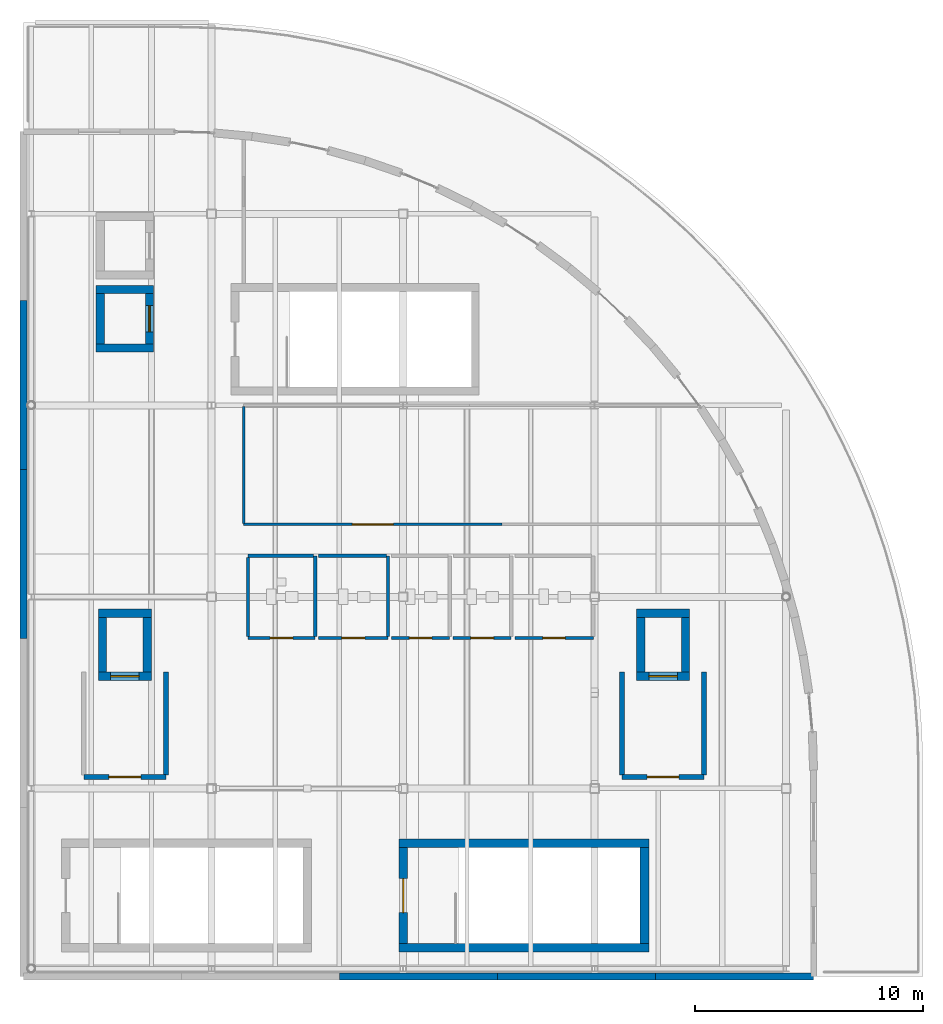
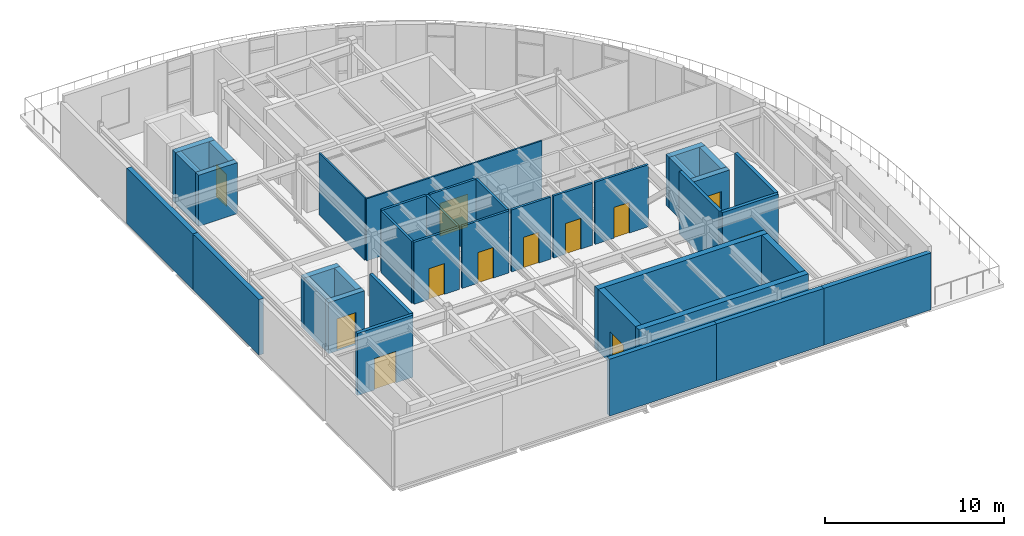
# One storey, part 18 of 26: 38 walls, 12 doors, 12 openings.
"""IFC4 building model written with IfcOpenShell, lengths in metres."""

from ifc_helpers import new_model, si_unit, direction, frame, frame_2d, origin, place, context, subcontext, project, spatial, rectangle, extrude, material, layer, layer_set, type_object, element, fill, save


model = new_model("IFC4")

# Units and contexts
model_context = context("Model", 3, precision=1e-05, world=origin(), true_north=direction((0.0, 1.0)))
body_context = subcontext(model_context, "Body", "Model", "MODEL_VIEW")
ifc_project = project(units=[si_unit("LENGTHUNIT", "METRE"), si_unit("AREAUNIT", "SQUARE_METRE"), si_unit("VOLUMEUNIT", "CUBIC_METRE"), si_unit("PLANEANGLEUNIT", "RADIAN"), si_unit("MASSUNIT", "GRAM", prefix="KILO"), si_unit("THERMODYNAMICTEMPERATUREUNIT", "KELVIN")], contexts=[model_context])

# Site, building, storey
site_placement = place(None, origin())
site = spatial("IfcSite", under=ifc_project, at=site_placement, CompositionType="ELEMENT")
building_placement = place(site_placement, origin())
building = spatial("IfcBuilding", under=site, at=building_placement, Name="Lustrewick Department Store", CompositionType="ELEMENT")
storey_placement = place(building_placement, frame((0.0, 0.0, 36.300048828125)))
storey = spatial("IfcBuildingStorey", under=building, at=storey_placement, Name="L08", CompositionType="ELEMENT", Elevation=36.300048828125)

# Walls
ifc_material_1 = material(Name="Precast concrete C40", Category="concrete")
ifc_layer_1 = layer(ifc_material_1, 0.300048828125, Name="Precast concrete C40")
ifc_layer_set_1 = layer_set([ifc_layer_1], Name="Precast concrete C40")
wall_type_1 = type_object("IfcWallType", Name="EW04", PredefinedType="STANDARD", material=ifc_layer_set_1)
wall_1_placement = place(storey_placement, frame((123.2099609375, 50.550048828125, 0.0), z_axis=(0.0, 0.0, 1.0), x_axis=(1.0, 0.0, 0.0)))
element("IfcWall", 1, at=wall_1_placement, inside=storey, type_object=wall_type_1, Name="L08 V4 Exterior Wall EW04", PredefinedType="STANDARD", context=body_context, shape_type="SweptSolid", body=[
    extrude(rectangle(XDim=6.929931640625, YDim=0.300048828125, at=frame_2d((3.46484375, 0.0))), origin(), (0.0, 0.0, 1.0), 3.886962890625),
])
wall_2_placement = place(storey_placement, frame((130.139892578125, 50.550048828125, 0.0), z_axis=(0.0, 0.0, 1.0), x_axis=(1.0, 0.0, 0.0)))
element("IfcWall", 2, at=wall_2_placement, inside=storey, type_object=wall_type_1, Name="L08 V4 Exterior Wall EW04", PredefinedType="STANDARD", context=body_context, shape_type="SweptSolid", body=[
    extrude(rectangle(XDim=6.93017578125, YDim=0.300048828125, at=frame_2d((3.465087890625, 0.0))), origin(), (0.0, 0.0, 1.0), 3.886962890625),
])
wall_3_placement = place(storey_placement, frame((137.070068359375, 50.550048828125, 0.0), z_axis=(0.0, 0.0, 1.0), x_axis=(1.0, 0.0, 0.0)))
element("IfcWall", 3, at=wall_3_placement, inside=storey, type_object=wall_type_1, Name="L08 V4 Exterior Wall EW04", PredefinedType="STANDARD", context=body_context, shape_type="SweptSolid", body=[
    extrude(rectangle(XDim=6.929931640625, YDim=0.300048828125, at=frame_2d((3.46484375, 0.0))), origin(), (0.0, 0.0, 1.0), 3.886962890625),
])
for number, where, z_axis, x_axis, name in (
    (4, (109.35009765625, 80.18994140625, 0.0), (0.0, 0.0, 1.0), (0.0, -1.0, 0.0), "L08 V4 Exterior Wall EW04"),
    (5, (109.35009765625, 72.780029296875, 0.0), (0.0, 0.0, 1.0), (0.0, -1.0, 0.0), "L08 V4 Exterior Wall EW04"),
):
    element("IfcWall", number, at=place(storey_placement, frame(where, z_axis=z_axis, x_axis=x_axis)), inside=storey, type_object=wall_type_1, Name=name, PredefinedType="STANDARD", context=body_context, shape_type="SweptSolid", body=[
        extrude(rectangle(XDim=7.409912109375, YDim=0.300048828125, at=frame_2d((3.705078125, 0.0))), origin(), (0.0, 0.0, 1.0), 3.796875),
    ])

# Wall, opening, door
ifc_material_2 = material(Name="Autoclaved aerated concrete blockwork and fire board", Category="masonry")
ifc_layer_2 = layer(ifc_material_2, 0.205078125, Name="Autoclaved aerated concrete blockwork and fire board")
ifc_layer_set_2 = layer_set([ifc_layer_2], Name="Autoclaved aerated concrete blockwork and fire board")
wall_type_2 = type_object("IfcWallType", Name="PW02", PredefinedType="PARTITIONING", material=ifc_layer_set_2)
wall_4_placement = place(storey_placement, frame((135.60009765625, 59.300048828125, 0.0), z_axis=(0.0, 0.0, 1.0), x_axis=(1.0, 0.0, 0.0)))
wall_4 = element("IfcWall", 6, at=wall_4_placement, inside=storey, type_object=wall_type_2, Name="L08 Firefighting Lift Lobby FFL-03 PW02", PredefinedType="PARTITIONING", context=body_context, shape_type="SweptSolid", body=[
    extrude(rectangle(XDim=3.599853515625, YDim=0.205078125, at=frame_2d((1.7998046875, 0.0))), origin(), (0.0, 0.0, 1.0), 4.244873046875),
])
opening_1_placement = place(wall_4_placement, frame((1.10009765625, 0.0, 0.0)))
opening_1 = element("IfcOpeningElement", 7, at=opening_1_placement, cuts=wall_4, Name="Opening D-L08-041", PredefinedType="OPENING", context=body_context, shape_type="SweptSolid", body=[
    extrude(rectangle(XDim=1.39990234375, YDim=2.14990234375, at=frame_2d((0.699951171875, 1.074951171875))), frame((0.0, 0.112548828125, 0.0), z_axis=(0.0, -1.0, 0.0), x_axis=(1.0, 0.0, 0.0)), (0.0, 0.0, 1.0), 0.22509765625),
])
ifc_material_3 = material(Name="Steel fire door Class B EI 60", Category="steel")
door_type_1 = type_object("IfcDoorType", Name="DT-08", OperationType="NOTDEFINED", PredefinedType="DOOR", material=ifc_material_3)
door_1_placement = place(opening_1_placement, origin())
door_1 = element("IfcDoor", 8, at=door_1_placement, inside=storey, type_object=door_type_1, Name="L08 Firefighting Lift Lobby FFL-03 Door D-L08-041", OperationType="SINGLE_SWING_LEFT", OverallHeight=2.14990234375, OverallWidth=1.39990234375, PredefinedType="DOOR", context=body_context, shape_type="SweptSolid", body=[
    extrude(rectangle(XDim=1.39990234375, YDim=2.14990234375, at=frame_2d((0.699951171875, 1.074951171875))), frame((0.0, 0.02490234375, 0.0), z_axis=(0.0, -1.0, 0.0), x_axis=(1.0, 0.0, 0.0)), (0.0, 0.0, 1.0), 0.050048828125),
])
fill(opening_1, door_1)

# Walls
for number, where, z_axis, x_axis, name in (
    (9, (139.199951171875, 59.3974609375, 0.0), (0.0, 0.0, 1.0), (0.0, 1.0, 0.0), "L08 Firefighting Lift Lobby FFL-03 PW02"),
    (10, (135.60009765625, 63.89990234375, 0.0), (0.0, 0.0, 1.0), (0.0, -1.0, 0.0), "L08 Firefighting Lift Lobby FFL-03 PW02"),
):
    element("IfcWall", number, at=place(storey_placement, frame(where, z_axis=z_axis, x_axis=x_axis)), inside=storey, type_object=wall_type_2, Name=name, PredefinedType="PARTITIONING", context=body_context, shape_type="SweptSolid", body=[
        extrude(rectangle(XDim=4.50244140625, YDim=0.205078125, at=frame_2d((2.251220703125, 0.0))), origin(), (0.0, 0.0, 1.0), 4.244873046875),
    ])

# Wall, opening, door
wall_5_placement = place(storey_placement, frame((112.0, 59.300048828125, 0.0), z_axis=(0.0, 0.0, 1.0), x_axis=(1.0, 0.0, 0.0)))
wall_5 = element("IfcWall", 11, at=wall_5_placement, inside=storey, type_object=wall_type_2, Name="L08 Firefighting Lift Lobby FFL-04 PW02", PredefinedType="PARTITIONING", context=body_context, shape_type="SweptSolid", body=[
    extrude(rectangle(XDim=3.60009765625, YDim=0.205078125, at=frame_2d((1.800048828125, 0.0))), origin(), (0.0, 0.0, 1.0), 4.244873046875),
])
opening_2_placement = place(wall_5_placement, frame((1.10009765625, 0.0, 0.0)))
opening_2 = element("IfcOpeningElement", 12, at=opening_2_placement, cuts=wall_5, Name="Opening D-L08-042", PredefinedType="OPENING", context=body_context, shape_type="SweptSolid", body=[
    extrude(rectangle(XDim=1.39990234375, YDim=2.14990234375, at=frame_2d((0.699951171875, 1.074951171875))), frame((0.0, 0.112548828125, 0.0), z_axis=(0.0, -1.0, 0.0), x_axis=(1.0, 0.0, 0.0)), (0.0, 0.0, 1.0), 0.22509765625),
])
door_2_placement = place(opening_2_placement, origin())
door_2 = element("IfcDoor", 13, at=door_2_placement, inside=storey, type_object=door_type_1, Name="L08 Firefighting Lift Lobby FFL-04 Door D-L08-042", OperationType="SINGLE_SWING_RIGHT", OverallHeight=2.14990234375, OverallWidth=1.39990234375, PredefinedType="DOOR", context=body_context, shape_type="SweptSolid", body=[
    extrude(rectangle(XDim=1.39990234375, YDim=2.14990234375, at=frame_2d((0.699951171875, 1.074951171875))), frame((0.0, 0.02490234375, 0.0), z_axis=(0.0, -1.0, 0.0), x_axis=(1.0, 0.0, 0.0)), (0.0, 0.0, 1.0), 0.050048828125),
])
fill(opening_2, door_2)

# Wall
wall_6_placement = place(storey_placement, frame((115.60009765625, 59.3974609375, 0.0), z_axis=(0.0, 0.0, 1.0), x_axis=(0.0, 1.0, 0.0)))
element("IfcWall", 14, at=wall_6_placement, inside=storey, type_object=wall_type_2, Name="L08 Firefighting Lift Lobby FFL-04 PW02", PredefinedType="PARTITIONING", context=body_context, shape_type="SweptSolid", body=[
    extrude(rectangle(XDim=4.50244140625, YDim=0.205078125, at=frame_2d((2.251220703125, 0.0))), origin(), (0.0, 0.0, 1.0), 4.244873046875),
])

# Wall, opening, door
ifc_material_4 = material(Name="Moisture-resistant cement board sanitary partition", Category="gypsum")
ifc_layer_3 = layer(ifc_material_4, 0.14990234375, Name="Moisture-resistant cement board sanitary partition")
ifc_layer_set_3 = layer_set([ifc_layer_3], Name="Moisture-resistant cement board sanitary partition")
wall_type_3 = type_object("IfcWallType", Name="PW05", PredefinedType="PARTITIONING", material=ifc_layer_set_3)
wall_7_placement = place(storey_placement, frame((119.199951171875, 65.39990234375, 0.0), z_axis=(0.0, 0.0, 1.0), x_axis=(1.0, 0.0, 0.0)))
wall_7 = element("IfcWall", 15, at=wall_7_placement, inside=storey, type_object=wall_type_3, Name="L08 Male Public WC PW05", PredefinedType="PARTITIONING", context=body_context, shape_type="SweptSolid", body=[
    extrude(rectangle(XDim=2.93994140625, YDim=0.14990234375, at=frame_2d((1.469970703125, 0.0))), origin(), (0.0, 0.0, 1.0), 4.244873046875),
])
opening_3_placement = place(wall_7_placement, frame((0.969970703125, 0.0, 0.0)))
opening_3 = element("IfcOpeningElement", 16, at=opening_3_placement, cuts=wall_7, Name="Opening D-L08-043", PredefinedType="OPENING", context=body_context, shape_type="SweptSolid", body=[
    extrude(rectangle(XDim=1.0, YDim=2.10009765625, at=frame_2d((0.5, 1.050048828125))), frame((0.0, 0.0849609375, 0.0), z_axis=(0.0, -1.0, 0.0), x_axis=(1.0, 0.0, 0.0)), (0.0, 0.0, 1.0), 0.169921875),
])
ifc_material_5 = material(Name="Moisture-resistant laminate sanitary door", Category="steel")
door_type_2 = type_object("IfcDoorType", Name="DT-11", OperationType="NOTDEFINED", PredefinedType="DOOR", material=ifc_material_5)
door_3_placement = place(opening_3_placement, origin())
door_3 = element("IfcDoor", 17, at=door_3_placement, inside=storey, type_object=door_type_2, Name="L08 Male Public WC Door D-L08-043", OperationType="SINGLE_SWING_LEFT", OverallHeight=2.10009765625, OverallWidth=1.0, PredefinedType="DOOR", context=body_context, shape_type="SweptSolid", body=[
    extrude(rectangle(XDim=1.0, YDim=2.10009765625, at=frame_2d((0.5, 1.050048828125))), frame((0.0, 0.02490234375, 0.0), z_axis=(0.0, -1.0, 0.0), x_axis=(1.0, 0.0, 0.0)), (0.0, 0.0, 1.0), 0.050048828125),
])
fill(opening_3, door_3)

# Walls
wall_8_placement = place(storey_placement, frame((122.139892578125, 65.469970703125, 0.0), z_axis=(0.0, 0.0, 1.0), x_axis=(0.0, 1.0, 0.0)))
element("IfcWall", 18, at=wall_8_placement, inside=storey, type_object=wall_type_3, Name="L08 Male Public WC PW05", PredefinedType="PARTITIONING", context=body_context, shape_type="SweptSolid", body=[
    extrude(rectangle(XDim=3.530029296875, YDim=0.14990234375, at=frame_2d((1.76513671875, 0.0))), origin(), (0.0, 0.0, 1.0), 4.244873046875),
])
wall_9_placement = place(storey_placement, frame((122.070068359375, 69.0, 0.0), z_axis=(0.0, 0.0, 1.0), x_axis=(-1.0, 0.0, 0.0)))
element("IfcWall", 19, at=wall_9_placement, inside=storey, type_object=wall_type_3, Name="L08 Male Public WC PW05", PredefinedType="PARTITIONING", context=body_context, shape_type="SweptSolid", body=[
    extrude(rectangle(XDim=2.8701171875, YDim=0.14990234375, at=frame_2d((1.43505859375, 0.0))), origin(), (0.0, 0.0, 1.0), 4.244873046875),
])
wall_10_placement = place(storey_placement, frame((119.199951171875, 68.929931640625, 0.0), z_axis=(0.0, 0.0, 1.0), x_axis=(0.0, -1.0, 0.0)))
element("IfcWall", 20, at=wall_10_placement, inside=storey, type_object=wall_type_3, Name="L08 Male Public WC PW05", PredefinedType="PARTITIONING", context=body_context, shape_type="SweptSolid", body=[
    extrude(rectangle(XDim=3.4599609375, YDim=0.14990234375, at=frame_2d((1.72998046875, 0.0))), origin(), (0.0, 0.0, 1.0), 4.244873046875),
])

# Wall, opening, door
wall_11_placement = place(storey_placement, frame((122.300048828125, 65.39990234375, 0.0), z_axis=(0.0, 0.0, 1.0), x_axis=(1.0, 0.0, 0.0)))
wall_11 = element("IfcWall", 21, at=wall_11_placement, inside=storey, type_object=wall_type_3, Name="L08 Female Public WC PW05", PredefinedType="PARTITIONING", context=body_context, shape_type="SweptSolid", body=[
    extrude(rectangle(XDim=3.0400390625, YDim=0.14990234375, at=frame_2d((1.52001953125, 0.0))), origin(), (0.0, 0.0, 1.0), 4.244873046875),
])
opening_4_placement = place(wall_11_placement, frame((1.02001953125, 0.0, 0.0)))
opening_4 = element("IfcOpeningElement", 22, at=opening_4_placement, cuts=wall_11, Name="Opening D-L08-044", PredefinedType="OPENING", context=body_context, shape_type="SweptSolid", body=[
    extrude(rectangle(XDim=1.0, YDim=2.10009765625, at=frame_2d((0.5, 1.050048828125))), frame((0.0, 0.0849609375, 0.0), z_axis=(0.0, -1.0, 0.0), x_axis=(1.0, 0.0, 0.0)), (0.0, 0.0, 1.0), 0.169921875),
])
door_4_placement = place(opening_4_placement, origin())
door_4 = element("IfcDoor", 23, at=door_4_placement, inside=storey, type_object=door_type_2, Name="L08 Female Public WC Door D-L08-044", OperationType="SINGLE_SWING_RIGHT", OverallHeight=2.10009765625, OverallWidth=1.0, PredefinedType="DOOR", context=body_context, shape_type="SweptSolid", body=[
    extrude(rectangle(XDim=1.0, YDim=2.10009765625, at=frame_2d((0.5, 1.050048828125))), frame((0.0, 0.02490234375, 0.0), z_axis=(0.0, -1.0, 0.0), x_axis=(1.0, 0.0, 0.0)), (0.0, 0.0, 1.0), 0.050048828125),
])
fill(opening_4, door_4)

# Walls
wall_12_placement = place(storey_placement, frame((125.340087890625, 65.469970703125, 0.0), z_axis=(0.0, 0.0, 1.0), x_axis=(0.0, 1.0, 0.0)))
element("IfcWall", 24, at=wall_12_placement, inside=storey, type_object=wall_type_3, Name="L08 Female Public WC PW05", PredefinedType="PARTITIONING", context=body_context, shape_type="SweptSolid", body=[
    extrude(rectangle(XDim=3.530029296875, YDim=0.14990234375, at=frame_2d((1.76513671875, 0.0))), origin(), (0.0, 0.0, 1.0), 4.244873046875),
])
wall_13_placement = place(storey_placement, frame((125.27001953125, 69.0, 0.0), z_axis=(0.0, 0.0, 1.0), x_axis=(-1.0, 0.0, 0.0)))
element("IfcWall", 25, at=wall_13_placement, inside=storey, type_object=wall_type_3, Name="L08 Female Public WC PW05", PredefinedType="PARTITIONING", context=body_context, shape_type="SweptSolid", body=[
    extrude(rectangle(XDim=2.969970703125, YDim=0.14990234375, at=frame_2d((1.48486328125, 0.0))), origin(), (0.0, 0.0, 1.0), 4.244873046875),
])

# Wall, opening, door
wall_14_placement = place(storey_placement, frame((125.5, 65.39990234375, 0.0), z_axis=(0.0, 0.0, 1.0), x_axis=(1.0, 0.0, 0.0)))
wall_14 = element("IfcWall", 26, at=wall_14_placement, inside=storey, type_object=wall_type_3, Name="L08 Accessible WC PW05", PredefinedType="PARTITIONING", context=body_context, shape_type="SweptSolid", body=[
    extrude(rectangle(XDim=2.5400390625, YDim=0.14990234375, at=frame_2d((1.27001953125, 0.0))), origin(), (0.0, 0.0, 1.0), 4.244873046875),
])
opening_5_placement = place(wall_14_placement, frame((0.780029296875, 0.0, 0.0)))
opening_5 = element("IfcOpeningElement", 27, at=opening_5_placement, cuts=wall_14, Name="Opening D-L08-045", PredefinedType="OPENING", context=body_context, shape_type="SweptSolid", body=[
    extrude(rectangle(XDim=0.97998046875, YDim=2.10009765625, at=frame_2d((0.489990234375, 1.050048828125))), frame((0.0, 0.0849609375, 0.0), z_axis=(0.0, -1.0, 0.0), x_axis=(1.0, 0.0, 0.0)), (0.0, 0.0, 1.0), 0.169921875),
])
ifc_material_6 = material(Name="Barrier-free accessible sanitary door", Category="steel")
door_type_3 = type_object("IfcDoorType", Name="DT-12", OperationType="NOTDEFINED", PredefinedType="DOOR", material=ifc_material_6)
door_5_placement = place(opening_5_placement, origin())
door_5 = element("IfcDoor", 28, at=door_5_placement, inside=storey, type_object=door_type_3, Name="L08 Accessible WC Door D-L08-045", OperationType="SINGLE_SWING_LEFT", OverallHeight=2.10009765625, OverallWidth=0.97998046875, PredefinedType="DOOR", context=body_context, shape_type="SweptSolid", body=[
    extrude(rectangle(XDim=0.97998046875, YDim=2.10009765625, at=frame_2d((0.489990234375, 1.050048828125))), frame((0.0, 0.02490234375, 0.0), z_axis=(0.0, -1.0, 0.0), x_axis=(1.0, 0.0, 0.0)), (0.0, 0.0, 1.0), 0.050048828125),
])
fill(opening_5, door_5)

wall_15_placement = place(storey_placement, frame((128.199951171875, 65.39990234375, 0.0), z_axis=(0.0, 0.0, 1.0), x_axis=(1.0, 0.0, 0.0)))
wall_15 = element("IfcWall", 29, at=wall_15_placement, inside=storey, type_object=wall_type_3, Name="L08 Staff WC PW05", PredefinedType="PARTITIONING", context=body_context, shape_type="SweptSolid", body=[
    extrude(rectangle(XDim=2.5400390625, YDim=0.14990234375, at=frame_2d((1.27001953125, 0.0))), origin(), (0.0, 0.0, 1.0), 4.244873046875),
])
opening_6_placement = place(wall_15_placement, frame((0.77001953125, 0.0, 0.0)))
opening_6 = element("IfcOpeningElement", 30, at=opening_6_placement, cuts=wall_15, Name="Opening D-L08-046", PredefinedType="OPENING", context=body_context, shape_type="SweptSolid", body=[
    extrude(rectangle(XDim=1.0, YDim=2.10009765625, at=frame_2d((0.5, 1.050048828125))), frame((0.0, 0.0849609375, 0.0), z_axis=(0.0, -1.0, 0.0), x_axis=(1.0, 0.0, 0.0)), (0.0, 0.0, 1.0), 0.169921875),
])
door_6_placement = place(opening_6_placement, origin())
door_6 = element("IfcDoor", 31, at=door_6_placement, inside=storey, type_object=door_type_2, Name="L08 Staff WC Door D-L08-046", OperationType="SINGLE_SWING_RIGHT", OverallHeight=2.10009765625, OverallWidth=1.0, PredefinedType="DOOR", context=body_context, shape_type="SweptSolid", body=[
    extrude(rectangle(XDim=1.0, YDim=2.10009765625, at=frame_2d((0.5, 1.050048828125))), frame((0.0, 0.02490234375, 0.0), z_axis=(0.0, -1.0, 0.0), x_axis=(1.0, 0.0, 0.0)), (0.0, 0.0, 1.0), 0.050048828125),
])
fill(opening_6, door_6)

wall_16_placement = place(storey_placement, frame((130.89990234375, 65.39990234375, 0.0), z_axis=(0.0, 0.0, 1.0), x_axis=(1.0, 0.0, 0.0)))
wall_16 = element("IfcWall", 32, at=wall_16_placement, inside=storey, type_object=wall_type_3, Name="L08 Nursery Room PW05", PredefinedType="PARTITIONING", context=body_context, shape_type="SweptSolid", body=[
    extrude(rectangle(XDim=3.440185546875, YDim=0.14990234375, at=frame_2d((1.72021484375, 0.0))), origin(), (0.0, 0.0, 1.0), 4.244873046875),
])
opening_7_placement = place(wall_16_placement, frame((1.22998046875, 0.0, 0.0)))
opening_7 = element("IfcOpeningElement", 33, at=opening_7_placement, cuts=wall_16, Name="Opening D-L08-047", PredefinedType="OPENING", context=body_context, shape_type="SweptSolid", body=[
    extrude(rectangle(XDim=0.97998046875, YDim=2.10009765625, at=frame_2d((0.489990234375, 1.050048828125))), frame((0.0, 0.0849609375, 0.0), z_axis=(0.0, -1.0, 0.0), x_axis=(1.0, 0.0, 0.0)), (0.0, 0.0, 1.0), 0.169921875),
])
door_7_placement = place(opening_7_placement, origin())
door_7 = element("IfcDoor", 34, at=door_7_placement, inside=storey, type_object=door_type_3, Name="L08 Nursery Room Door D-L08-047", OperationType="SINGLE_SWING_LEFT", OverallHeight=2.10009765625, OverallWidth=0.97998046875, PredefinedType="DOOR", context=body_context, shape_type="SweptSolid", body=[
    extrude(rectangle(XDim=0.97998046875, YDim=2.10009765625, at=frame_2d((0.489990234375, 1.050048828125))), frame((0.0, 0.02490234375, 0.0), z_axis=(0.0, -1.0, 0.0), x_axis=(1.0, 0.0, 0.0)), (0.0, 0.0, 1.0), 0.050048828125),
])
fill(opening_7, door_7)

ifc_material_7 = material(Name="Lightweight demountable studio partition", Category="gypsum")
ifc_layer_4 = layer(ifc_material_7, 0.10498046875, Name="Lightweight demountable studio partition")
ifc_layer_set_4 = layer_set([ifc_layer_4], Name="Lightweight demountable studio partition")
wall_type_4 = type_object("IfcWallType", Name="PW08", PredefinedType="PARTITIONING", material=ifc_layer_set_4)
wall_17_placement = place(storey_placement, frame((119.010009765625, 70.37841796875, 0.0), z_axis=(0.0, 0.0, 1.0), x_axis=(1.0, 0.0, 0.0)))
wall_17 = element("IfcWall", 35, at=wall_17_placement, inside=storey, type_object=wall_type_4, Name="L08 Panoramic Dining Restaurant PW08", PredefinedType="PARTITIONING", context=body_context, shape_type="SweptSolid", body=[
    extrude(rectangle(XDim=11.33349609375, YDim=0.10498046875, at=frame_2d((5.666748046875, 0.0))), origin(), (0.0, 0.0, 1.0), 4.244873046875),
])
opening_8_placement = place(wall_17_placement, frame((4.766845703125, 0.0, 0.0)))
opening_8 = element("IfcOpeningElement", 36, at=opening_8_placement, cuts=wall_17, Name="Opening D-L08-048", PredefinedType="OPENING", context=body_context, shape_type="SweptSolid", body=[
    extrude(rectangle(XDim=1.800048828125, YDim=2.25, at=frame_2d((0.89990234375, 1.125))), frame((0.0, 0.0625, 0.0), z_axis=(0.0, -1.0, 0.0), x_axis=(1.0, 0.0, 0.0)), (0.0, 0.0, 1.0), 0.125),
])
ifc_material_8 = material(Name="Glazed brass-framed salon double door", Category="steel")
door_type_4 = type_object("IfcDoorType", Name="DT-09", OperationType="NOTDEFINED", PredefinedType="DOOR", material=ifc_material_8)
door_8_placement = place(opening_8_placement, origin())
door_8 = element("IfcDoor", 37, at=door_8_placement, inside=storey, type_object=door_type_4, Name="L08 Panoramic Dining Restaurant Door D-L08-048", OperationType="DOUBLE_DOOR_SINGLE_SWING", OverallHeight=2.25, OverallWidth=1.800048828125, PredefinedType="DOOR", context=body_context, shape_type="SweptSolid", body=[
    extrude(rectangle(XDim=1.800048828125, YDim=2.25, at=frame_2d((0.89990234375, 1.125))), frame((0.0, 0.02490234375, 0.0), z_axis=(0.0, -1.0, 0.0), x_axis=(1.0, 0.0, 0.0)), (0.0, 0.0, 1.0), 0.050048828125),
])
fill(opening_8, door_8)

# Walls
wall_18_placement = place(storey_placement, frame((119.010009765625, 75.560302734375, 0.0), z_axis=(0.0, 0.0, 1.0), x_axis=(0.0, -1.0, 0.0)))
element("IfcWall", 38, at=wall_18_placement, inside=storey, type_object=wall_type_4, Name="L08 Panoramic Dining Restaurant PW08", PredefinedType="PARTITIONING", context=body_context, shape_type="SweptSolid", body=[
    extrude(rectangle(XDim=5.134521484375, YDim=0.10498046875, at=frame_2d((2.5673828125, 0.0))), origin(), (0.0, 0.0, 1.0), 4.244873046875),
])
ifc_material_9 = material(Name="Concrete C40", Category="concrete")
ifc_layer_5 = layer(ifc_material_9, 0.3798828125, Name="Concrete C40")
ifc_layer_set_5 = layer_set([ifc_layer_5], Name="Concrete C40")
wall_type_5 = type_object("IfcWallType", Name="SW03", PredefinedType="SHEAR", material=ifc_layer_set_5)
wall_19_placement = place(storey_placement, frame((125.820068359375, 51.81005859375, 0.0), z_axis=(0.0, 0.0, 1.0), x_axis=(1.0, 0.0, 0.0)))
element("IfcWall", 39, at=wall_19_placement, inside=storey, type_object=wall_type_5, Name="L08 Stair Core ST11 Shear Wall S", PredefinedType="SHEAR", context=body_context, shape_type="SweptSolid", body=[
    extrude(rectangle(XDim=10.9599609375, YDim=0.3798828125, at=frame_2d((5.47998046875, 0.0))), origin(), (0.0, 0.0, 1.0), 4.244873046875),
])
wall_20_placement = place(storey_placement, frame((136.590087890625, 52.0, 0.0), z_axis=(0.0, 0.0, 1.0), x_axis=(0.0, 1.0, 0.0)))
element("IfcWall", 40, at=wall_20_placement, inside=storey, type_object=wall_type_5, Name="L08 Stair Core ST11 Shear Wall E", PredefinedType="SHEAR", context=body_context, shape_type="SweptSolid", body=[
    extrude(rectangle(XDim=4.199951171875, YDim=0.3798828125, at=frame_2d((2.10009765625, 0.0))), origin(), (0.0, 0.0, 1.0), 4.244873046875),
])
wall_21_placement = place(storey_placement, frame((136.780029296875, 56.389892578125, 0.0), z_axis=(0.0, 0.0, 1.0), x_axis=(-1.0, 0.0, 0.0)))
element("IfcWall", 41, at=wall_21_placement, inside=storey, type_object=wall_type_5, Name="L08 Stair Core ST11 Shear Wall N", PredefinedType="SHEAR", context=body_context, shape_type="SweptSolid", body=[
    extrude(rectangle(XDim=10.9599609375, YDim=0.3798828125, at=frame_2d((5.47998046875, 0.0))), origin(), (0.0, 0.0, 1.0), 4.244873046875),
])

# Wall, opening, door
wall_22_placement = place(storey_placement, frame((126.010009765625, 56.199951171875, 0.0), z_axis=(0.0, 0.0, 1.0), x_axis=(0.0, -1.0, 0.0)))
wall_22 = element("IfcWall", 42, at=wall_22_placement, inside=storey, type_object=wall_type_5, Name="L08 Stair Core ST11 Shear Wall W", PredefinedType="SHEAR", context=body_context, shape_type="SweptSolid", body=[
    extrude(rectangle(XDim=4.199951171875, YDim=0.3798828125, at=frame_2d((2.10009765625, 0.0))), origin(), (0.0, 0.0, 1.0), 4.244873046875),
])
opening_9_placement = place(wall_22_placement, frame((1.35009765625, 0.0, 0.0)))
opening_9 = element("IfcOpeningElement", 43, at=opening_9_placement, cuts=wall_22, Name="Opening D-L08-003", PredefinedType="OPENING", context=body_context, shape_type="SweptSolid", body=[
    extrude(rectangle(XDim=1.5, YDim=2.14990234375, at=frame_2d((0.75, 1.074951171875))), frame((0.0, 0.199951171875, 0.0), z_axis=(0.0, -1.0, 0.0), x_axis=(1.0, 0.0, 0.0)), (0.0, 0.0, 1.0), 0.39990234375),
])
door_type_5 = type_object("IfcDoorType", Name="DT-07", OperationType="NOTDEFINED", PredefinedType="DOOR", material=ifc_material_3)
door_9_placement = place(opening_9_placement, origin())
door_9 = element("IfcDoor", 44, at=door_9_placement, inside=storey, type_object=door_type_5, Name="L08 Smoke-Proof Stair ST11 Fire Door", OperationType="SINGLE_SWING_RIGHT", OverallHeight=2.14990234375, OverallWidth=1.5, PredefinedType="DOOR", context=body_context, shape_type="SweptSolid", body=[
    extrude(rectangle(XDim=1.5, YDim=2.14990234375, at=frame_2d((0.75, 1.074951171875))), frame((0.0, 0.02490234375, 0.0), z_axis=(0.0, -1.0, 0.0), x_axis=(1.0, 0.0, 0.0)), (0.0, 0.0, 1.0), 0.050048828125),
])
fill(opening_9, door_9)

ifc_layer_6 = layer(ifc_material_9, 0.360107421875, Name="Concrete C40")
ifc_layer_set_6 = layer_set([ifc_layer_6], Name="Concrete C40")
wall_type_6 = type_object("IfcWallType", Name="SW04", PredefinedType="SHEAR", material=ifc_layer_set_6)
wall_23_placement = place(storey_placement, frame((136.239990234375, 63.719970703125, 0.0), z_axis=(0.0, 0.0, 1.0), x_axis=(1.0, 0.0, 0.0)))
wall_23 = element("IfcWall", 45, at=wall_23_placement, inside=storey, type_object=wall_type_6, Name="L08 Lift FFL-03 Shaft Wall -Y", PredefinedType="SHEAR", context=body_context, shape_type="SweptSolid", body=[
    extrude(rectangle(XDim=2.320068359375, YDim=0.360107421875, at=frame_2d((1.16015625, 0.0))), origin(), (0.0, 0.0, 1.0), 3.494873046875),
])
opening_10_placement = place(wall_23_placement, frame((0.534912109375, 0.0, 0.0)))
opening_10 = element("IfcOpeningElement", 46, at=opening_10_placement, cuts=wall_23, Name="Opening LD-L08-01", PredefinedType="OPENING", context=body_context, shape_type="SweptSolid", body=[
    extrude(rectangle(XDim=1.25, YDim=2.199951171875, at=frame_2d((0.625, 1.10009765625))), frame((0.0, 0.18994140625, 0.0), z_axis=(0.0, -1.0, 0.0), x_axis=(1.0, 0.0, 0.0)), (0.0, 0.0, 1.0), 0.380126953125),
])
ifc_material_10 = material(Name="Stainless steel firefighting lift landing door EI 90", Category="steel")
door_type_6 = type_object("IfcDoorType", Name="DT-15", OperationType="NOTDEFINED", PredefinedType="DOOR", material=ifc_material_10)
door_10_placement = place(opening_10_placement, frame((1.25, 0.0, 0.0), z_axis=(0.0, 0.0, 1.0), x_axis=(-1.0, 0.0, 0.0)))
door_10 = element("IfcDoor", 47, at=door_10_placement, inside=storey, type_object=door_type_6, Name="L08 Lift FFL-03 Sliding Landing Door LD-L08-01", OperationType="DOUBLE_DOOR_SLIDING", OverallHeight=2.199951171875, OverallWidth=1.25, PredefinedType="DOOR", context=body_context, shape_type="SweptSolid", body=[
    extrude(rectangle(XDim=1.25, YDim=2.199951171875, at=frame_2d((0.625, 1.10009765625))), frame((0.0, 0.02490234375, 0.0), z_axis=(0.0, -1.0, 0.0), x_axis=(1.0, 0.0, 0.0)), (0.0, 0.0, 1.0), 0.050048828125),
])
fill(opening_10, door_10)

# Walls
wall_24_placement = place(storey_placement, frame((138.3798828125, 63.89990234375, 0.0), z_axis=(0.0, 0.0, 1.0), x_axis=(0.0, 1.0, 0.0)))
element("IfcWall", 48, at=wall_24_placement, inside=storey, type_object=wall_type_6, Name="L08 Lift FFL-03 Shaft Wall +X", PredefinedType="SHEAR", context=body_context, shape_type="SweptSolid", body=[
    extrude(rectangle(XDim=2.400146484375, YDim=0.360107421875, at=frame_2d((1.2001953125, 0.0))), origin(), (0.0, 0.0, 1.0), 3.494873046875),
])
wall_25_placement = place(storey_placement, frame((138.56005859375, 66.47998046875, 0.0), z_axis=(0.0, 0.0, 1.0), x_axis=(-1.0, 0.0, 0.0)))
element("IfcWall", 49, at=wall_25_placement, inside=storey, type_object=wall_type_6, Name="L08 Lift FFL-03 Shaft Wall +Y", PredefinedType="SHEAR", context=body_context, shape_type="SweptSolid", body=[
    extrude(rectangle(XDim=2.320068359375, YDim=0.360107421875, at=frame_2d((1.16015625, 0.0))), origin(), (0.0, 0.0, 1.0), 3.494873046875),
])
wall_26_placement = place(storey_placement, frame((136.419921875, 66.300048828125, 0.0), z_axis=(0.0, 0.0, 1.0), x_axis=(0.0, -1.0, 0.0)))
element("IfcWall", 50, at=wall_26_placement, inside=storey, type_object=wall_type_6, Name="L08 Lift FFL-03 Shaft Wall -X", PredefinedType="SHEAR", context=body_context, shape_type="SweptSolid", body=[
    extrude(rectangle(XDim=2.400146484375, YDim=0.360107421875, at=frame_2d((1.2001953125, 0.0))), origin(), (0.0, 0.0, 1.0), 3.494873046875),
])

# Wall, opening, door
wall_27_placement = place(storey_placement, frame((112.639892578125, 63.719970703125, 0.0), z_axis=(0.0, 0.0, 1.0), x_axis=(1.0, 0.0, 0.0)))
wall_27 = element("IfcWall", 51, at=wall_27_placement, inside=storey, type_object=wall_type_6, Name="L08 Lift FFL-04 Shaft Wall -Y", PredefinedType="SHEAR", context=body_context, shape_type="SweptSolid", body=[
    extrude(rectangle(XDim=2.320068359375, YDim=0.360107421875, at=frame_2d((1.16015625, 0.0))), origin(), (0.0, 0.0, 1.0), 3.494873046875),
])
opening_11_placement = place(wall_27_placement, frame((0.534912109375, 0.0, 0.0)))
opening_11 = element("IfcOpeningElement", 52, at=opening_11_placement, cuts=wall_27, Name="Opening LD-L08-02", PredefinedType="OPENING", context=body_context, shape_type="SweptSolid", body=[
    extrude(rectangle(XDim=1.25, YDim=2.199951171875, at=frame_2d((0.625, 1.10009765625))), frame((0.0, 0.18994140625, 0.0), z_axis=(0.0, -1.0, 0.0), x_axis=(1.0, 0.0, 0.0)), (0.0, 0.0, 1.0), 0.380126953125),
])
door_11_placement = place(opening_11_placement, frame((1.25, 0.0, 0.0), z_axis=(0.0, 0.0, 1.0), x_axis=(-1.0, 0.0, 0.0)))
door_11 = element("IfcDoor", 53, at=door_11_placement, inside=storey, type_object=door_type_6, Name="L08 Lift FFL-04 Sliding Landing Door LD-L08-02", OperationType="DOUBLE_DOOR_SLIDING", OverallHeight=2.199951171875, OverallWidth=1.25, PredefinedType="DOOR", context=body_context, shape_type="SweptSolid", body=[
    extrude(rectangle(XDim=1.25, YDim=2.199951171875, at=frame_2d((0.625, 1.10009765625))), frame((0.0, 0.02490234375, 0.0), z_axis=(0.0, -1.0, 0.0), x_axis=(1.0, 0.0, 0.0)), (0.0, 0.0, 1.0), 0.050048828125),
])
fill(opening_11, door_11)

# Walls
wall_28_placement = place(storey_placement, frame((114.780029296875, 63.89990234375, 0.0), z_axis=(0.0, 0.0, 1.0), x_axis=(0.0, 1.0, 0.0)))
element("IfcWall", 54, at=wall_28_placement, inside=storey, type_object=wall_type_6, Name="L08 Lift FFL-04 Shaft Wall +X", PredefinedType="SHEAR", context=body_context, shape_type="SweptSolid", body=[
    extrude(rectangle(XDim=2.400146484375, YDim=0.360107421875, at=frame_2d((1.2001953125, 0.0))), origin(), (0.0, 0.0, 1.0), 3.494873046875),
])
wall_29_placement = place(storey_placement, frame((114.9599609375, 66.47998046875, 0.0), z_axis=(0.0, 0.0, 1.0), x_axis=(-1.0, 0.0, 0.0)))
element("IfcWall", 55, at=wall_29_placement, inside=storey, type_object=wall_type_6, Name="L08 Lift FFL-04 Shaft Wall +Y", PredefinedType="SHEAR", context=body_context, shape_type="SweptSolid", body=[
    extrude(rectangle(XDim=2.320068359375, YDim=0.360107421875, at=frame_2d((1.16015625, 0.0))), origin(), (0.0, 0.0, 1.0), 3.494873046875),
])
wall_30_placement = place(storey_placement, frame((112.820068359375, 66.300048828125, 0.0), z_axis=(0.0, 0.0, 1.0), x_axis=(0.0, -1.0, 0.0)))
element("IfcWall", 56, at=wall_30_placement, inside=storey, type_object=wall_type_6, Name="L08 Lift FFL-04 Shaft Wall -X", PredefinedType="SHEAR", context=body_context, shape_type="SweptSolid", body=[
    extrude(rectangle(XDim=2.400146484375, YDim=0.360107421875, at=frame_2d((1.2001953125, 0.0))), origin(), (0.0, 0.0, 1.0), 3.494873046875),
])
wall_31_placement = place(storey_placement, frame((112.5400390625, 78.1201171875, 0.0), z_axis=(0.0, 0.0, 1.0), x_axis=(1.0, 0.0, 0.0)))
element("IfcWall", 57, at=wall_31_placement, inside=storey, type_object=wall_type_6, Name="L08 Lift PL-07 Shaft Wall -Y", PredefinedType="SHEAR", context=body_context, shape_type="SweptSolid", body=[
    extrude(rectangle(XDim=2.52001953125, YDim=0.360107421875, at=frame_2d((1.260009765625, 0.0))), origin(), (0.0, 0.0, 1.0), 3.494873046875),
])

# Wall, opening, door
wall_32_placement = place(storey_placement, frame((114.8798828125, 78.300048828125, 0.0), z_axis=(0.0, 0.0, 1.0), x_axis=(0.0, 1.0, 0.0)))
wall_32 = element("IfcWall", 58, at=wall_32_placement, inside=storey, type_object=wall_type_6, Name="L08 Lift PL-07 Shaft Wall +X", PredefinedType="SHEAR", context=body_context, shape_type="SweptSolid", body=[
    extrude(rectangle(XDim=2.199951171875, YDim=0.360107421875, at=frame_2d((1.10009765625, 0.0))), origin(), (0.0, 0.0, 1.0), 3.494873046875),
])
opening_12_placement = place(wall_32_placement, frame((0.52490234375, 0.0, 0.0)))
opening_12 = element("IfcOpeningElement", 59, at=opening_12_placement, cuts=wall_32, Name="Opening LD-L08-03", PredefinedType="OPENING", context=body_context, shape_type="SweptSolid", body=[
    extrude(rectangle(XDim=1.14990234375, YDim=2.199951171875, at=frame_2d((0.574951171875, 1.10009765625))), frame((0.0, 0.18994140625, 0.0), z_axis=(0.0, -1.0, 0.0), x_axis=(1.0, 0.0, 0.0)), (0.0, 0.0, 1.0), 0.380126953125),
])
ifc_material_11 = material(Name="Brushed bronze passenger lift landing door EI 60", Category="steel")
door_type_7 = type_object("IfcDoorType", Name="DT-16", OperationType="NOTDEFINED", PredefinedType="DOOR", material=ifc_material_11)
door_12_placement = place(opening_12_placement, frame((1.14990234375, 0.0, 0.0), z_axis=(0.0, 0.0, 1.0), x_axis=(-1.0, 0.0, 0.0)))
door_12 = element("IfcDoor", 60, at=door_12_placement, inside=storey, type_object=door_type_7, Name="L08 Lift PL-07 Sliding Landing Door LD-L08-03", OperationType="DOUBLE_DOOR_SLIDING", OverallHeight=2.199951171875, OverallWidth=1.14990234375, PredefinedType="DOOR", context=body_context, shape_type="SweptSolid", body=[
    extrude(rectangle(XDim=1.14990234375, YDim=2.199951171875, at=frame_2d((0.574951171875, 1.10009765625))), frame((0.0, 0.02490234375, 0.0), z_axis=(0.0, -1.0, 0.0), x_axis=(1.0, 0.0, 0.0)), (0.0, 0.0, 1.0), 0.050048828125),
])
fill(opening_12, door_12)

# Walls
wall_33_placement = place(storey_placement, frame((115.06005859375, 80.679931640625, 0.0), z_axis=(0.0, 0.0, 1.0), x_axis=(-1.0, 0.0, 0.0)))
element("IfcWall", 61, at=wall_33_placement, inside=storey, type_object=wall_type_6, Name="L08 Lift PL-07 Shaft Wall +Y", PredefinedType="SHEAR", context=body_context, shape_type="SweptSolid", body=[
    extrude(rectangle(XDim=2.52001953125, YDim=0.360107421875, at=frame_2d((1.260009765625, 0.0))), origin(), (0.0, 0.0, 1.0), 3.494873046875),
])
wall_34_placement = place(storey_placement, frame((112.719970703125, 80.5, 0.0), z_axis=(0.0, 0.0, 1.0), x_axis=(0.0, -1.0, 0.0)))
element("IfcWall", 62, at=wall_34_placement, inside=storey, type_object=wall_type_6, Name="L08 Lift PL-07 Shaft Wall -X", PredefinedType="SHEAR", context=body_context, shape_type="SweptSolid", body=[
    extrude(rectangle(XDim=2.199951171875, YDim=0.360107421875, at=frame_2d((1.10009765625, 0.0))), origin(), (0.0, 0.0, 1.0), 3.494873046875),
])

save(model, "model.ifc")
